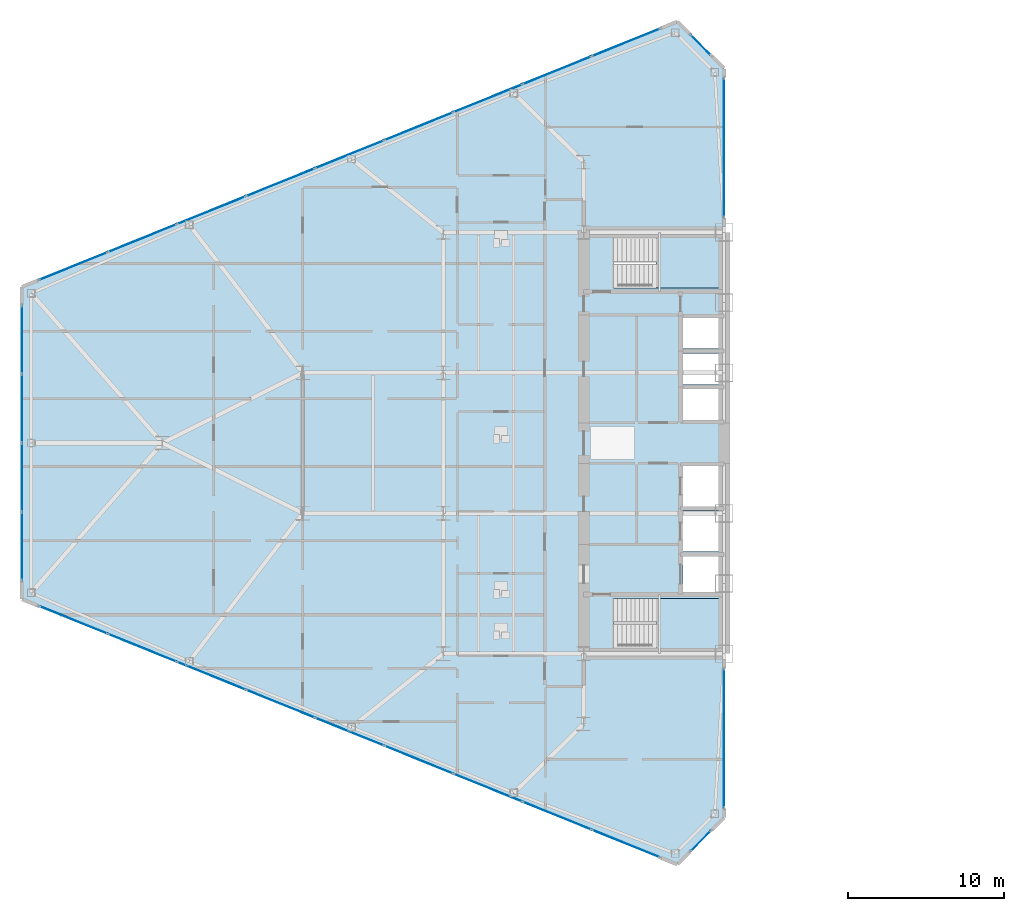
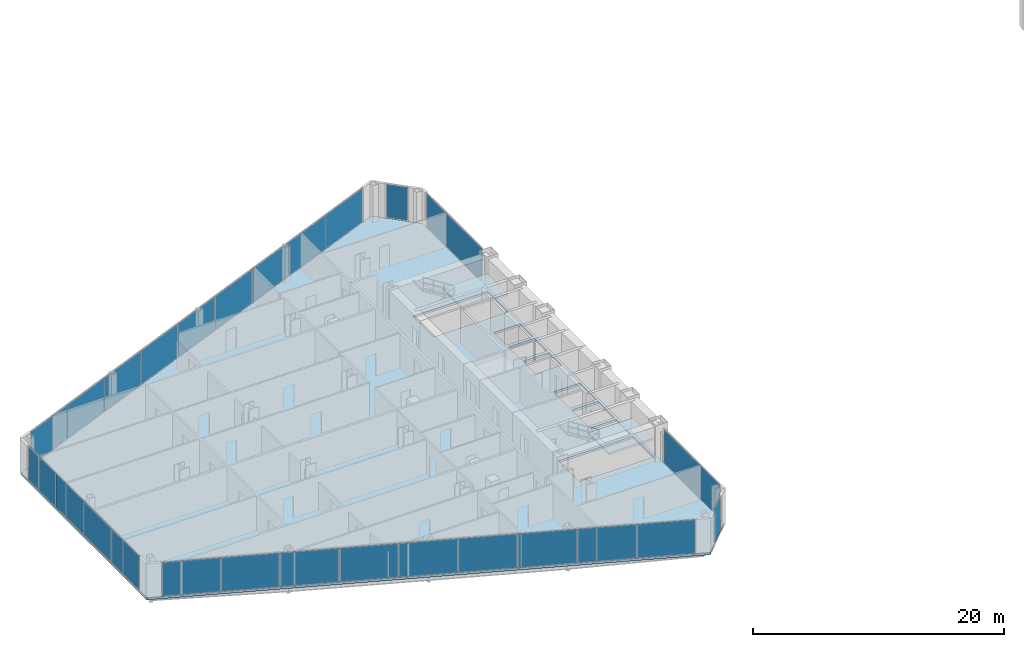
# One storey, part 15 of 25: 26 plates, 3 slabs, 9 elements without a shape of their own.
"""IFC4 building model written with IfcOpenShell, lengths in metres."""

from ifc_helpers import new_model, si_unit, direction, frame, origin, origin_2d, place, context, subcontext, project, spatial, polyline, rectangle, outline, extrude, source, transform, mapped, material, layer, layer_set, type_object, type_shapes, element, aggregate, save


model = new_model("IFC4")

# Units and contexts
model_context = context("Model", 3, precision=1e-05, world=origin(), true_north=direction((0.0, 1.0)))
body_context = subcontext(model_context, "Body", "Model", "MODEL_VIEW")
ifc_project = project(units=[si_unit("LENGTHUNIT", "METRE"), si_unit("AREAUNIT", "SQUARE_METRE"), si_unit("VOLUMEUNIT", "CUBIC_METRE"), si_unit("PLANEANGLEUNIT", "RADIAN"), si_unit("MASSUNIT", "GRAM", prefix="KILO")], contexts=[model_context])

# Site, building, storey
site_placement = place(None, origin())
site = spatial("IfcSite", under=ifc_project, at=site_placement, CompositionType="ELEMENT")
building_placement = place(site_placement, origin())
building = spatial("IfcBuilding", under=site, at=building_placement, Name="Seokmaru Belvedere", CompositionType="ELEMENT")
storey_placement = place(building_placement, frame((0.0, 0.0, 40.5)))
storey = spatial("IfcBuildingStorey", under=building, at=storey_placement, Name="L10", CompositionType="ELEMENT", Elevation=40.5)

# Stair, slab
ifc_material_1 = material(Name="Concrete C40 (40 MPa)", Category="concrete")
stair_type = type_object("IfcStairType", Name="Typical Tower Core Dog-Leg Stair 3600", PredefinedType="TWO_STRAIGHT_RUN_STAIR", material=ifc_material_1)
stair_1_placement = place(storey_placement, origin())
stair_1 = element("IfcStair", 1, at=stair_1_placement, inside=storey, type_object=stair_type, Name="L10 Special Escape Stair ST-W1", PredefinedType="TWO_STRAIGHT_RUN_STAIR")
ifc_layer_1 = layer(ifc_material_1, 0.199951171875)
ifc_layer_set_1 = layer_set([ifc_layer_1], Name="Concrete C40 (40 MPa)")
slab_type_1 = type_object("IfcSlabType", Name="Reinforced Concrete Stair Landing Slab 200", PredefinedType="LANDING", material=ifc_layer_set_1)
slab_1_placement = place(storey_placement, frame((0.0, 0.0, 1.60009765625)))
slab_1 = element("IfcSlab", 2, at=slab_1_placement, type_object=slab_type_1, Name="ST-W1 landing 1", PredefinedType="LANDING", context=body_context, shape_type="SweptSolid", body=[
    extrude(outline(polyline([(-31.8798828125, -13.239990234375), (-27.760009765625, -13.239990234375), (-27.760009765625, -9.949951171875), (-31.8798828125, -9.949951171875), (-31.8798828125, -13.239990234375)])), origin(), (0.0, 0.0, 1.0), 0.199951171875),
])
aggregate(stair_1, [slab_1])

stair_2_placement = place(storey_placement, origin())
stair_2 = element("IfcStair", 3, at=stair_2_placement, inside=storey, type_object=stair_type, Name="L10 Special Escape Stair ST-W2", PredefinedType="TWO_STRAIGHT_RUN_STAIR")
slab_2_placement = place(storey_placement, frame((0.0, 0.0, 1.60009765625)))
slab_2 = element("IfcSlab", 4, at=slab_2_placement, type_object=slab_type_1, Name="ST-W2 landing 1", PredefinedType="LANDING", context=body_context, shape_type="SweptSolid", body=[
    extrude(outline(polyline([(-31.8798828125, 9.949951171875), (-27.760009765625, 9.949951171875), (-27.760009765625, 13.239990234375), (-31.8798828125, 13.239990234375), (-31.8798828125, 9.949951171875)])), origin(), (0.0, 0.0, 1.0), 0.199951171875),
])
aggregate(stair_2, [slab_2])

# Slab
ifc_layer_2 = layer(ifc_material_1, 0.219970703125)
ifc_layer_set_2 = layer_set([ifc_layer_2], Name="Concrete C40 (40 MPa)")
slab_type_2 = type_object("IfcSlabType", Name="Typical Tower Composite Floor Slab 220", PredefinedType="FLOOR", material=ifc_layer_set_2)
slab_3_placement = place(storey_placement, frame((0.0, 0.0, -0.219970703125)))
element("IfcSlab", 5, at=slab_3_placement, inside=storey, type_object=slab_type_2, Name="L10 West Leg Floor Slab", PredefinedType="FLOOR", context=body_context, shape_type="SweptSolid", body=[
    extrude(outline(polyline([(-27.5, -24.0), (-27.5, 24.0), (-30.5, 27.0), (-72.5, 10.0), (-72.5, -10.0), (-30.5, -27.0), (-27.5, -24.0)]), holes=[polyline([(-34.60009765625, -13.25), (-27.75, -13.25), (-27.75, -9.949951171875), (-34.60009765625, -9.949951171875), (-34.60009765625, -13.25)]), polyline([(-34.60009765625, 9.949951171875), (-27.75, 9.949951171875), (-27.75, 13.25), (-34.60009765625, 13.25), (-34.60009765625, 9.949951171875)]), polyline([(-30.14990234375, -9.550048828125), (-27.75, -9.550048828125), (-27.75, -7.25), (-30.14990234375, -7.25), (-30.14990234375, -9.550048828125)]), polyline([(-30.14990234375, -6.949951171875), (-27.75, -6.949951171875), (-27.75, -4.35009765625), (-30.14990234375, -4.35009765625), (-30.14990234375, -6.949951171875)]), polyline([(-30.14990234375, -4.050048828125), (-27.75, -4.050048828125), (-27.75, -1.449951171875), (-30.14990234375, -1.449951171875), (-30.14990234375, -4.050048828125)]), polyline([(-30.14990234375, 1.449951171875), (-27.75, 1.449951171875), (-27.75, 3.449951171875), (-30.14990234375, 3.449951171875), (-30.14990234375, 1.449951171875)]), polyline([(-30.14990234375, 3.75), (-27.75, 3.75), (-27.75, 5.75), (-30.14990234375, 5.75), (-30.14990234375, 3.75)]), polyline([(-30.14990234375, 6.050048828125), (-27.75, 6.050048828125), (-27.75, 8.050048828125), (-30.14990234375, 8.050048828125), (-30.14990234375, 6.050048828125)])]), origin(), (0.0, 0.0, 1.0), 0.219970703125),
])

# Curtain wall, plate
ifc_material_2 = material(Name="Bronze Triple Insulating Glass", Category="glass")
ifc_layer_3 = layer(ifc_material_2, 0.2099609375)
ifc_layer_set_3 = layer_set([ifc_layer_3], Name="Bronze Triple Insulating Glass")
curtain_wall_type = type_object("IfcCurtainWallType", Name="Low-Rise Faceted Crystal Curtain Wall System CW-2", PredefinedType="NOTDEFINED", material=ifc_layer_set_3)
curtain_wall_1_placement = place(storey_placement, origin())
curtain_wall_1 = element("IfcCurtainWall", 6, at=curtain_wall_1_placement, inside=storey, type_object=curtain_wall_type, Name="L10 Curtain Wall WSP_1", PredefinedType="NOTDEFINED")
ifc_layer_4 = layer(ifc_material_2, 0.035888671875)
ifc_layer_set_4 = layer_set([ifc_layer_4], Name="Bronze Triple Insulating Glass")
plate_type = type_object("IfcPlateType", Name="Bronze Triple Vision Glazing Panel 36", PredefinedType="CURTAIN_PANEL", material=ifc_layer_set_4)
shared_shape_1 = source(origin(), body_context, "Body", "SweptSolid", [
    extrude(rectangle(XDim=8.85009765625, YDim=0.035888671875, at=origin_2d()), origin(), (0.0, 0.0, 1.0), 3.239990234375),
])
plate_1_placement = place(storey_placement, frame((-27.5, -18.929931640625, 0.06982421875), z_axis=(0.0, 0.0, 1.0), x_axis=(0.0, 1.0, 0.0)))
plate_1 = element("IfcPlate", 7, at=plate_1_placement, type_object=plate_type, Name="CW:L10:WSP_1 Glazing Panel 1-1", PredefinedType="CURTAIN_PANEL", context=body_context, shape_type="MappedRepresentation", body=[
    mapped(shared_shape_1, transform((0.0, 0.0, 0.0), scale=1.0)),
])
aggregate(curtain_wall_1, [plate_1])

curtain_wall_2_placement = place(storey_placement, origin())
curtain_wall_2 = element("IfcCurtainWall", 8, at=curtain_wall_2_placement, inside=storey, type_object=curtain_wall_type, Name="L10 Curtain Wall WSP_2", PredefinedType="NOTDEFINED")
plate_2_placement = place(storey_placement, frame((-27.5, 18.929931640625, 0.06982421875), z_axis=(0.0, 0.0, 1.0), x_axis=(0.0, 1.0, 0.0)))
plate_2 = element("IfcPlate", 9, at=plate_2_placement, type_object=plate_type, Name="CW:L10:WSP_2 Glazing Panel 1-1", PredefinedType="CURTAIN_PANEL", context=body_context, shape_type="MappedRepresentation", body=[
    mapped(shared_shape_1, transform((0.0, 0.0, 0.0), scale=1.0)),
])
aggregate(curtain_wall_2, [plate_2])

curtain_wall_3_placement = place(storey_placement, origin())
curtain_wall_3 = element("IfcCurtainWall", 10, at=curtain_wall_3_placement, inside=storey, type_object=curtain_wall_type, Name="L10 Curtain Wall WF2", PredefinedType="NOTDEFINED")
shared_shape_2 = source(origin(), body_context, "Body", "SweptSolid", [
    extrude(rectangle(XDim=1.79248046875, YDim=0.035888671875, at=origin_2d()), origin(), (0.0, 0.0, 1.0), 3.239990234375),
])
plate_3_placement = place(storey_placement, frame((-29.0, 25.5, 0.06982421875), z_axis=(0.0, 0.0, 1.0), x_axis=(-0.707106781187, 0.707106781187, 0.0)))
plate_3 = element("IfcPlate", 11, at=plate_3_placement, type_object=plate_type, Name="CW:L10:WF2 Glazing Panel 1-1", PredefinedType="CURTAIN_PANEL", context=body_context, shape_type="MappedRepresentation", body=[
    mapped(shared_shape_2, transform((0.0, 0.0, 0.0), scale=1.0)),
])
aggregate(curtain_wall_3, [plate_3])

curtain_wall_4_placement = place(storey_placement, origin())
curtain_wall_4 = element("IfcCurtainWall", 12, at=curtain_wall_4_placement, inside=storey, type_object=curtain_wall_type, Name="L10 Curtain Wall WF6", PredefinedType="NOTDEFINED")
plate_4_placement = place(storey_placement, frame((-29.0, -25.5, 0.06982421875), z_axis=(0.0, 0.0, 1.0), x_axis=(0.707106781187, 0.707106781187, 0.0)))
plate_4 = element("IfcPlate", 13, at=plate_4_placement, type_object=plate_type, Name="CW:L10:WF6 Glazing Panel 1-1", PredefinedType="CURTAIN_PANEL", context=body_context, shape_type="MappedRepresentation", body=[
    mapped(shared_shape_2, transform((0.0, 0.0, 0.0), scale=1.0)),
])
aggregate(curtain_wall_4, [plate_4])

# Curtain wall, plates
curtain_wall_5_placement = place(storey_placement, origin())
curtain_wall_5 = element("IfcCurtainWall", 14, at=curtain_wall_5_placement, inside=storey, type_object=curtain_wall_type, Name="L10 Curtain Wall WF3", PredefinedType="NOTDEFINED")
shared_shape_3 = source(origin(), body_context, "Body", "SweptSolid", [
    extrude(rectangle(XDim=4.66650390625, YDim=0.035888671875, at=origin_2d()), origin(), (0.0, 0.0, 1.0), 3.239990234375),
])
plate_5_placement = place(storey_placement, frame((-33.79833984375, 25.6650390625, 0.06982421875), z_axis=(0.0, 0.0, 1.0), x_axis=(-0.926946989637, -0.375192321888, 0.0)))
plate_5 = element("IfcPlate", 15, at=plate_5_placement, type_object=plate_type, Name="CW:L10:WF3 Glazing Panel 1-1", PredefinedType="CURTAIN_PANEL", context=body_context, shape_type="MappedRepresentation", body=[
    mapped(shared_shape_3, transform((0.0, 0.0, 0.0), scale=1.0)),
])
plate_6_placement = place(storey_placement, frame((-69.20166015625, 11.3349609375, 0.06982421875), z_axis=(0.0, 0.0, 1.0), x_axis=(-0.926946989637, -0.375192321888, 0.0)))
plate_6 = element("IfcPlate", 16, at=plate_6_placement, type_object=plate_type, Name="CW:L10:WF3 Glazing Panel 9-1", PredefinedType="CURTAIN_PANEL", context=body_context, shape_type="MappedRepresentation", body=[
    mapped(shared_shape_3, transform((0.0, 0.0, 0.0), scale=1.0)),
])

curtain_wall_6_placement = place(storey_placement, origin())
curtain_wall_6 = element("IfcCurtainWall", 17, at=curtain_wall_6_placement, inside=storey, type_object=curtain_wall_type, Name="L10 Curtain Wall WF5", PredefinedType="NOTDEFINED")
plate_7_placement = place(storey_placement, frame((-69.20166015625, -11.3349609375, 0.06982421875), z_axis=(0.0, 0.0, 1.0), x_axis=(0.926946989637, -0.375192321888, 0.0)))
plate_7 = element("IfcPlate", 18, at=plate_7_placement, type_object=plate_type, Name="CW:L10:WF5 Glazing Panel 1-1", PredefinedType="CURTAIN_PANEL", context=body_context, shape_type="MappedRepresentation", body=[
    mapped(shared_shape_3, transform((0.0, 0.0, 0.0), scale=1.0)),
])
plate_8_placement = place(storey_placement, frame((-33.79833984375, -25.6650390625, 0.06982421875), z_axis=(0.0, 0.0, 1.0), x_axis=(0.926946989637, -0.375192321888, 0.0)))
plate_8 = element("IfcPlate", 19, at=plate_8_placement, type_object=plate_type, Name="CW:L10:WF5 Glazing Panel 9-1", PredefinedType="CURTAIN_PANEL", context=body_context, shape_type="MappedRepresentation", body=[
    mapped(shared_shape_3, transform((0.0, 0.0, 0.0), scale=1.0)),
])

# Plate
shared_shape_4 = source(origin(), body_context, "Body", "SweptSolid", [
    extrude(rectangle(XDim=4.703857421875, YDim=0.035888671875, at=origin_2d()), origin(), (0.0, 0.0, 1.0), 3.239990234375),
])
plate_9_placement = place(storey_placement, frame((-38.210693359375, 23.87890625, 0.06982421875), z_axis=(0.0, 0.0, 1.0), x_axis=(-0.926946989637, -0.375192321888, 0.0)))
plate_9 = element("IfcPlate", 20, at=plate_9_placement, type_object=plate_type, Name="CW:L10:WF3 Glazing Panel 2-1", PredefinedType="CURTAIN_PANEL", context=body_context, shape_type="MappedRepresentation", body=[
    mapped(shared_shape_4, transform((0.0, 0.0, 0.0), scale=1.0)),
])

plate_10_placement = place(storey_placement, frame((-42.640380859375, 22.0859375, 0.06982421875), z_axis=(0.0, 0.0, 1.0), x_axis=(-0.926946989637, -0.375192321888, 0.0)))
plate_10 = element("IfcPlate", 21, at=plate_10_placement, type_object=plate_type, Name="CW:L10:WF3 Glazing Panel 3-1", PredefinedType="CURTAIN_PANEL", context=body_context, shape_type="MappedRepresentation", body=[
    mapped(shared_shape_4, transform((0.0, 0.0, 0.0), scale=1.0)),
])

plate_11_placement = place(storey_placement, frame((-47.0703125, 20.29296875, 0.06982421875), z_axis=(0.0, 0.0, 1.0), x_axis=(-0.926946989637, -0.375192321888, 0.0)))
plate_11 = element("IfcPlate", 22, at=plate_11_placement, type_object=plate_type, Name="CW:L10:WF3 Glazing Panel 4-1", PredefinedType="CURTAIN_PANEL", context=body_context, shape_type="MappedRepresentation", body=[
    mapped(shared_shape_4, transform((0.0, 0.0, 0.0), scale=1.0)),
])

plate_12_placement = place(storey_placement, frame((-51.5, 18.5, 0.06982421875), z_axis=(0.0, 0.0, 1.0), x_axis=(-0.926946989637, -0.375192321888, 0.0)))
plate_12 = element("IfcPlate", 23, at=plate_12_placement, type_object=plate_type, Name="CW:L10:WF3 Glazing Panel 5-1", PredefinedType="CURTAIN_PANEL", context=body_context, shape_type="MappedRepresentation", body=[
    mapped(shared_shape_4, transform((0.0, 0.0, 0.0), scale=1.0)),
])

plate_13_placement = place(storey_placement, frame((-55.9296875, 16.70703125, 0.06982421875), z_axis=(0.0, 0.0, 1.0), x_axis=(-0.926946989637, -0.375192321888, 0.0)))
plate_13 = element("IfcPlate", 24, at=plate_13_placement, type_object=plate_type, Name="CW:L10:WF3 Glazing Panel 6-1", PredefinedType="CURTAIN_PANEL", context=body_context, shape_type="MappedRepresentation", body=[
    mapped(shared_shape_4, transform((0.0, 0.0, 0.0), scale=1.0)),
])

plate_14_placement = place(storey_placement, frame((-60.359619140625, 14.9140625, 0.06982421875), z_axis=(0.0, 0.0, 1.0), x_axis=(-0.926946989637, -0.375192321888, 0.0)))
plate_14 = element("IfcPlate", 25, at=plate_14_placement, type_object=plate_type, Name="CW:L10:WF3 Glazing Panel 7-1", PredefinedType="CURTAIN_PANEL", context=body_context, shape_type="MappedRepresentation", body=[
    mapped(shared_shape_4, transform((0.0, 0.0, 0.0), scale=1.0)),
])

plate_15_placement = place(storey_placement, frame((-64.789306640625, 13.12109375, 0.06982421875), z_axis=(0.0, 0.0, 1.0), x_axis=(-0.926946989637, -0.375192321888, 0.0)))
plate_15 = element("IfcPlate", 26, at=plate_15_placement, type_object=plate_type, Name="CW:L10:WF3 Glazing Panel 8-1", PredefinedType="CURTAIN_PANEL", context=body_context, shape_type="MappedRepresentation", body=[
    mapped(shared_shape_4, transform((0.0, 0.0, 0.0), scale=1.0)),
])

aggregate(curtain_wall_5, [plate_5, plate_9, plate_10, plate_11, plate_12, plate_13, plate_14, plate_15, plate_6])

plate_16_placement = place(storey_placement, frame((-64.789306640625, -13.12109375, 0.06982421875), z_axis=(0.0, 0.0, 1.0), x_axis=(0.926946989637, -0.375192321888, 0.0)))
plate_16 = element("IfcPlate", 27, at=plate_16_placement, type_object=plate_type, Name="CW:L10:WF5 Glazing Panel 2-1", PredefinedType="CURTAIN_PANEL", context=body_context, shape_type="MappedRepresentation", body=[
    mapped(shared_shape_4, transform((0.0, 0.0, 0.0), scale=1.0)),
])

plate_17_placement = place(storey_placement, frame((-60.359619140625, -14.9140625, 0.06982421875), z_axis=(0.0, 0.0, 1.0), x_axis=(0.926946989637, -0.375192321888, 0.0)))
plate_17 = element("IfcPlate", 28, at=plate_17_placement, type_object=plate_type, Name="CW:L10:WF5 Glazing Panel 3-1", PredefinedType="CURTAIN_PANEL", context=body_context, shape_type="MappedRepresentation", body=[
    mapped(shared_shape_4, transform((0.0, 0.0, 0.0), scale=1.0)),
])

plate_18_placement = place(storey_placement, frame((-55.9296875, -16.70703125, 0.06982421875), z_axis=(0.0, 0.0, 1.0), x_axis=(0.926946989637, -0.375192321888, 0.0)))
plate_18 = element("IfcPlate", 29, at=plate_18_placement, type_object=plate_type, Name="CW:L10:WF5 Glazing Panel 4-1", PredefinedType="CURTAIN_PANEL", context=body_context, shape_type="MappedRepresentation", body=[
    mapped(shared_shape_4, transform((0.0, 0.0, 0.0), scale=1.0)),
])

plate_19_placement = place(storey_placement, frame((-51.5, -18.5, 0.06982421875), z_axis=(0.0, 0.0, 1.0), x_axis=(0.926946989637, -0.375192321888, 0.0)))
plate_19 = element("IfcPlate", 30, at=plate_19_placement, type_object=plate_type, Name="CW:L10:WF5 Glazing Panel 5-1", PredefinedType="CURTAIN_PANEL", context=body_context, shape_type="MappedRepresentation", body=[
    mapped(shared_shape_4, transform((0.0, 0.0, 0.0), scale=1.0)),
])

plate_20_placement = place(storey_placement, frame((-47.0703125, -20.29296875, 0.06982421875), z_axis=(0.0, 0.0, 1.0), x_axis=(0.926946989637, -0.375192321888, 0.0)))
plate_20 = element("IfcPlate", 31, at=plate_20_placement, type_object=plate_type, Name="CW:L10:WF5 Glazing Panel 6-1", PredefinedType="CURTAIN_PANEL", context=body_context, shape_type="MappedRepresentation", body=[
    mapped(shared_shape_4, transform((0.0, 0.0, 0.0), scale=1.0)),
])

plate_21_placement = place(storey_placement, frame((-42.640380859375, -22.0859375, 0.06982421875), z_axis=(0.0, 0.0, 1.0), x_axis=(0.926946989637, -0.375192321888, 0.0)))
plate_21 = element("IfcPlate", 32, at=plate_21_placement, type_object=plate_type, Name="CW:L10:WF5 Glazing Panel 7-1", PredefinedType="CURTAIN_PANEL", context=body_context, shape_type="MappedRepresentation", body=[
    mapped(shared_shape_4, transform((0.0, 0.0, 0.0), scale=1.0)),
])

plate_22_placement = place(storey_placement, frame((-38.210693359375, -23.87890625, 0.06982421875), z_axis=(0.0, 0.0, 1.0), x_axis=(0.926946989637, -0.375192321888, 0.0)))
plate_22 = element("IfcPlate", 33, at=plate_22_placement, type_object=plate_type, Name="CW:L10:WF5 Glazing Panel 8-1", PredefinedType="CURTAIN_PANEL", context=body_context, shape_type="MappedRepresentation", body=[
    mapped(shared_shape_4, transform((0.0, 0.0, 0.0), scale=1.0)),
])

aggregate(curtain_wall_6, [plate_7, plate_16, plate_17, plate_18, plate_19, plate_20, plate_21, plate_22, plate_8])

# Curtain wall, plates
curtain_wall_7_placement = place(storey_placement, origin())
curtain_wall_7 = element("IfcCurtainWall", 34, at=curtain_wall_7_placement, inside=storey, type_object=curtain_wall_type, Name="L10 Curtain Wall WF4", PredefinedType="NOTDEFINED")
shared_shape_5 = source(origin(), body_context, "Body", "SweptSolid", [
    extrude(rectangle(XDim=4.3125, YDim=0.035888671875, at=origin_2d()), origin(), (0.0, 0.0, 1.0), 3.239990234375),
])
plate_23_placement = place(storey_placement, frame((-72.5, 6.61865234375, 0.06982421875), z_axis=(0.0, 0.0, 1.0), x_axis=(0.0, -1.0, 0.0)))
plate_23 = element("IfcPlate", 35, at=plate_23_placement, type_object=plate_type, Name="CW:L10:WF4 Glazing Panel 1-1", PredefinedType="CURTAIN_PANEL", context=body_context, shape_type="MappedRepresentation", body=[
    mapped(shared_shape_5, transform((0.0, 0.0, 0.0), scale=1.0)),
])
plate_24_placement = place(storey_placement, frame((-72.5, -6.61865234375, 0.06982421875), z_axis=(0.0, 0.0, 1.0), x_axis=(0.0, -1.0, 0.0)))
plate_24 = element("IfcPlate", 36, at=plate_24_placement, type_object=plate_type, Name="CW:L10:WF4 Glazing Panel 4-1", PredefinedType="CURTAIN_PANEL", context=body_context, shape_type="MappedRepresentation", body=[
    mapped(shared_shape_5, transform((0.0, 0.0, 0.0), scale=1.0)),
])
shared_shape_6 = source(origin(), body_context, "Body", "SweptSolid", [
    extrude(rectangle(XDim=4.35009765625, YDim=0.035888671875, at=origin_2d()), origin(), (0.0, 0.0, 1.0), 3.239990234375),
])
type_shapes(plate_type, [shared_shape_1, shared_shape_2, shared_shape_3, shared_shape_4, shared_shape_5, shared_shape_6])
plate_25_placement = place(storey_placement, frame((-72.5, 2.21240234375, 0.06982421875), z_axis=(0.0, 0.0, 1.0), x_axis=(0.0, -1.0, 0.0)))
plate_25 = element("IfcPlate", 37, at=plate_25_placement, type_object=plate_type, Name="CW:L10:WF4 Glazing Panel 2-1", PredefinedType="CURTAIN_PANEL", context=body_context, shape_type="MappedRepresentation", body=[
    mapped(shared_shape_6, transform((0.0, 0.0, 0.0), scale=1.0)),
])
plate_26_placement = place(storey_placement, frame((-72.5, -2.21240234375, 0.06982421875), z_axis=(0.0, 0.0, 1.0), x_axis=(0.0, -1.0, 0.0)))
plate_26 = element("IfcPlate", 38, at=plate_26_placement, type_object=plate_type, Name="CW:L10:WF4 Glazing Panel 3-1", PredefinedType="CURTAIN_PANEL", context=body_context, shape_type="MappedRepresentation", body=[
    mapped(shared_shape_6, transform((0.0, 0.0, 0.0), scale=1.0)),
])
aggregate(curtain_wall_7, [plate_23, plate_25, plate_26, plate_24])

save(model, "model.ifc")
